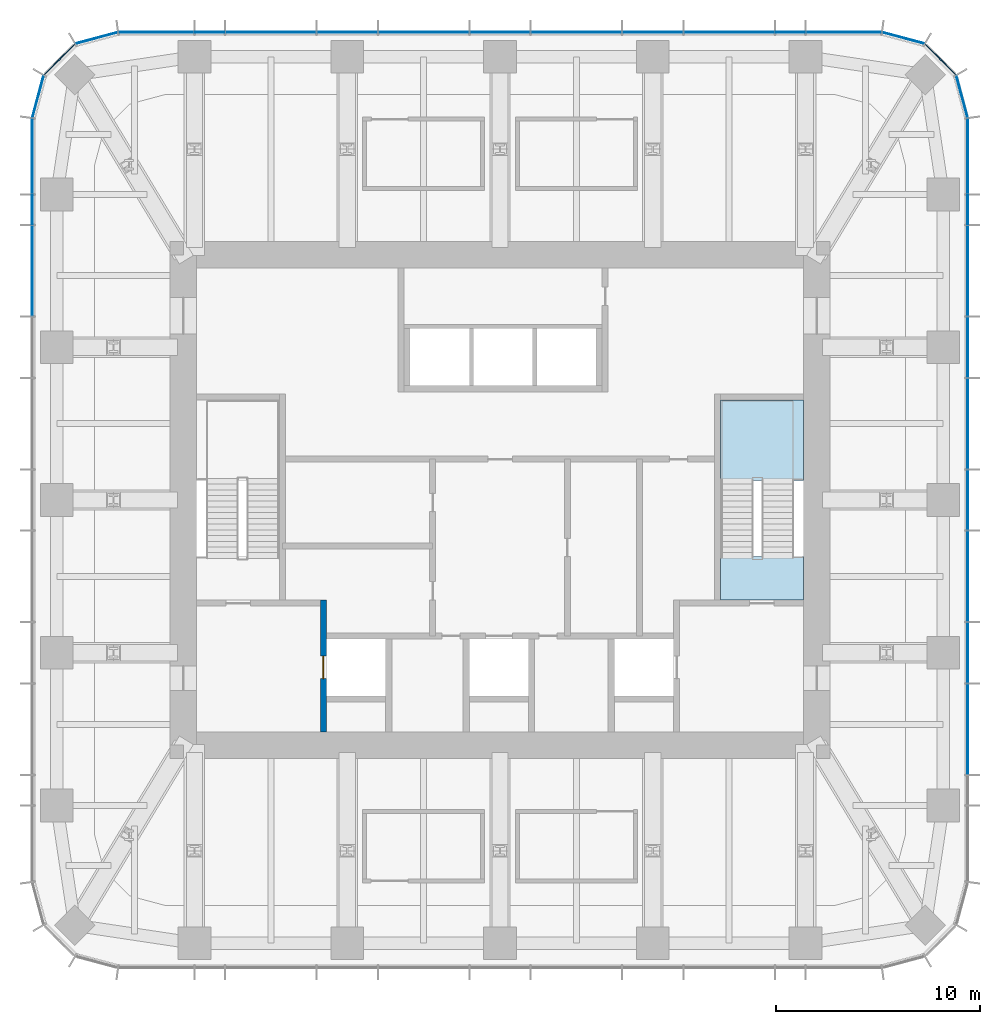
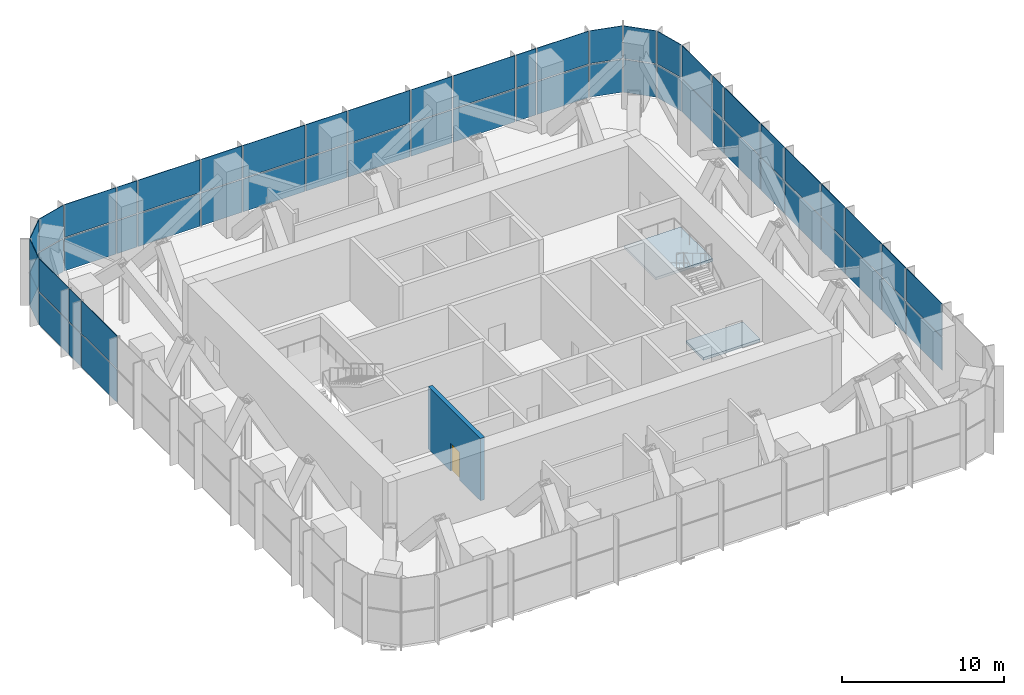
# One storey, part 6 of 9: 58 plates, 2 slabs, 1 door, 1 wall, 1 opening, 6 elements without a shape of their own.
"""IFC4 building model written with IfcOpenShell, lengths in metres."""

import ifcopenshell
import ifcopenshell.guid

model = None  # the IFC model being written
_history = None  # IfcOwnerHistory: only IFC2X3 demands one
_inside = {}  # id of a spatial element -> (the spatial element, [elements in it])
_under = {}  # id of a project, library or spatial element -> (it, [spatial elements below it])
_declared = {}  # id of a project -> (the project, [libraries it declares])
_typed = {}  # id of a type object -> (the type object, [elements of that type])
_made_of = {}  # id of a material, layer set ... -> (it, [elements and type objects made of it])


def new_model(schema):
    """Start an empty IFC model of exactly this schema.

    Asked for "IFC4X3", IfcOpenShell would pick the latest addendum, in which some entities
    have other attributes; the version numbers below select the first issue.
    IFC2X3 requires an IfcOwnerHistory on every rooted entity: one is made here for all.
    """
    global model, _history
    if schema == "IFC4X3":
        model = ifcopenshell.file(schema_version=(4, 3, 0, 0))
    else:
        model = ifcopenshell.file(schema=schema)
    _inside.clear()
    _under.clear()
    _declared.clear()
    _typed.clear()
    _made_of.clear()
    _history = None
    if model.schema == "IFC2X3":
        org = make("IfcOrganization", Name="unknown")
        user = make(
            "IfcPersonAndOrganization",
            ThePerson=make("IfcPerson", FamilyName="unknown"),
            TheOrganization=org,
        )
        app = make(
            "IfcApplication",
            ApplicationDeveloper=org,
            Version="unknown",
            ApplicationFullName="unknown",
            ApplicationIdentifier="unknown",
        )
        _history = make(
            "IfcOwnerHistory",
            OwningUser=user,
            OwningApplication=app,
            ChangeAction="ADDED",
            CreationDate=0,
        )
    return model


def make(cls, **values):
    """One entity of the class cls with the attributes given. An attribute that is None is left unset."""
    return model.create_entity(
        cls, **{name: value for name, value in values.items() if value is not None}
    )


def rooted(cls, **values):
    """An entity with a GlobalId (a new one), such as an element, a storey or a relation."""
    return make(cls, GlobalId=ifcopenshell.guid.new(), OwnerHistory=_history, **values)


def si_unit(unit_type, name, prefix=None):
    """IfcSIUnit, for example si_unit("LENGTHUNIT", "METRE", prefix="MILLI")."""
    return make("IfcSIUnit", UnitType=unit_type, Prefix=prefix, Name=name)


def assignment(units):
    """IfcUnitAssignment: the units of a project."""
    return None if units is None else make("IfcUnitAssignment", Units=units)


def point(xyz):
    """IfcCartesianPoint."""
    return None if xyz is None else make("IfcCartesianPoint", Coordinates=xyz)


def direction(xyz):
    """IfcDirection."""
    return None if xyz is None else make("IfcDirection", DirectionRatios=xyz)


def frame(location, z_axis=None, x_axis=None):
    """IfcAxis2Placement3D, a coordinate frame: its origin and axes. An axis left out is left unset."""
    return make(
        "IfcAxis2Placement3D",
        Location=point(location),
        Axis=direction(z_axis),
        RefDirection=direction(x_axis),
    )


def frame_2d(location, x_axis=None):
    """IfcAxis2Placement2D, a coordinate frame in the plane: its origin and x axis."""
    return make(
        "IfcAxis2Placement2D", Location=point(location), RefDirection=direction(x_axis)
    )


def origin():
    """The frame at (0, 0, 0) with its axes left unset."""
    return frame((0.0, 0.0, 0.0))


def origin_2d():
    """The frame at (0, 0) in the plane with its x axis left unset."""
    return frame_2d((0.0, 0.0))


def place(relative_to, where):
    """IfcLocalPlacement: puts the frame where relative to a parent placement (None: the world)."""
    return make(
        "IfcLocalPlacement", PlacementRelTo=relative_to, RelativePlacement=where
    )


def context(
    kind, dimensions, precision=None, world=None, true_north=None, identifier=None
):
    """IfcGeometricRepresentationContext, for example the 3D "Model" context."""
    return make(
        "IfcGeometricRepresentationContext",
        ContextIdentifier=identifier,
        ContextType=kind,
        CoordinateSpaceDimension=dimensions,
        Precision=precision,
        WorldCoordinateSystem=world,
        TrueNorth=true_north,
    )


def subcontext(parent, identifier, kind, view, scale=None):
    """IfcGeometricRepresentationSubContext, for example "Body" below "Model"."""
    return make(
        "IfcGeometricRepresentationSubContext",
        ContextIdentifier=identifier,
        ContextType=kind,
        ParentContext=parent,
        TargetScale=scale,
        TargetView=view,
    )


def project(units=None, contexts=None):
    """IfcProject with its units and contexts."""
    return rooted(
        "IfcProject",
        Name="project",
        RepresentationContexts=contexts,
        UnitsInContext=assignment(units),
    )


def spatial(cls, under=None, at=None, **own):
    """A site, building, storey or space (cls), placed at a placement, below another one or the project."""
    s = rooted(cls, ObjectPlacement=at, **own)
    if under is not None:
        _under.setdefault(under.id(), (under, []))[1].append(s)
    return s


def polyline(points):
    """IfcPolyline through the points."""
    return make("IfcPolyline", Points=[point(p) for p in points])


def profile(cls, at=None, kind="AREA", **sizes):
    """A parametric profile (cls). Its sizes go by their IFC names, for example OverallWidth=200.0."""
    return make(cls, ProfileType=kind, Position=at, **sizes)


def rectangle(**sizes):
    """IfcRectangleProfileDef."""
    return profile("IfcRectangleProfileDef", **sizes)


def outline(outer, holes=None, kind="AREA"):
    """IfcArbitraryClosedProfileDef: a profile drawn as a closed curve; with holes, ...WithVoids."""
    if holes is None:
        return make("IfcArbitraryClosedProfileDef", ProfileType=kind, OuterCurve=outer)
    return make(
        "IfcArbitraryProfileDefWithVoids",
        ProfileType=kind,
        OuterCurve=outer,
        InnerCurves=holes,
    )


def extrude(swept, where, along, depth):
    """IfcExtrudedAreaSolid: the profile swept, set in the frame where, extruded along a direction by depth."""
    return make(
        "IfcExtrudedAreaSolid",
        SweptArea=swept,
        Position=where,
        ExtrudedDirection=direction(along),
        Depth=depth,
    )


def shape(context_of_items, identifier, shape_type, items):
    """IfcShapeRepresentation: the items that make up one representation, for example the "Body"."""
    return make(
        "IfcShapeRepresentation",
        ContextOfItems=context_of_items,
        RepresentationIdentifier=identifier,
        RepresentationType=shape_type,
        Items=items,
    )


def material(Name=None, Category=None):
    """IfcMaterial."""
    return make("IfcMaterial", Name=Name, Category=Category)


def layer(
    of_material, thickness, ventilated=None, Name=None, Category=None, Priority=None
):
    """IfcMaterialLayer: one layer of a wall or slab, of a material (None: an air gap)."""
    return make(
        "IfcMaterialLayer",
        Material=of_material,
        LayerThickness=thickness,
        IsVentilated=ventilated,
        Name=Name,
        Category=Category,
        Priority=Priority,
    )


def layer_set(layers, Name=None):
    """IfcMaterialLayerSet."""
    return make("IfcMaterialLayerSet", MaterialLayers=layers, LayerSetName=Name)


def made_of(thing, what):
    """Note that an element or type object is made of a material, layer set ...; save() writes the relation."""
    if what is not None:
        _made_of.setdefault(what.id(), (what, []))[1].append(thing)
    return thing


def type_object(cls, material=None, **own):
    """A type object (cls), such as IfcWallType, which elements share."""
    return made_of(rooted(cls, **own), material)


def element(
    cls,
    number,
    at=None,
    inside=None,
    cuts=None,
    type_object=None,
    material=None,
    context=None,
    identifier="Body",
    shape_type=None,
    held_by="IfcProductDefinitionShape",
    body=None,
    shapes=None,
    **own,
):
    """One element of the class cls, such as IfcWall. Its Tag is "e" and its number.

    at: its placement. inside: the storey or other place that contains it. cuts: it is an
    opening in that element (IfcRelVoidsElement). A single representation is given by context,
    identifier, shape_type and body (its items); several are given by shapes. held_by: the class
    of the entity that holds the representations. save() writes the other relations.
    """
    e = rooted(cls, Tag="e%d" % number, ObjectPlacement=at, **own)
    if body is not None:
        shapes = [shape(context, identifier, shape_type, body)]
    if shapes is not None:
        e.Representation = make(held_by, Representations=shapes)
    if inside is not None:
        _inside.setdefault(inside.id(), (inside, []))[1].append(e)
    if cuts is not None:
        rooted(
            "IfcRelVoidsElement", RelatingBuildingElement=cuts, RelatedOpeningElement=e
        )
    if type_object is not None:
        _typed.setdefault(type_object.id(), (type_object, []))[1].append(e)
    return made_of(e, material)


def fill(opening, filler):
    """IfcRelFillsElement: the door or window that sits in an opening."""
    return rooted(
        "IfcRelFillsElement",
        RelatingOpeningElement=opening,
        RelatedBuildingElement=filler,
    )


def aggregate(whole, parts):
    """IfcRelAggregates: a whole, such as a stair, and the parts it consists of."""
    return rooted("IfcRelAggregates", RelatingObject=whole, RelatedObjects=parts)


def save(model, path):
    """Write the relations noted so far, then the file.

    IfcRelAggregates (storeys below a building ...), IfcRelContainedInSpatialStructure (elements
    in a storey), IfcRelDefinesByType, IfcRelAssociatesMaterial and IfcRelDeclares: one each for
    every whole, place, type object, material and project.
    """
    for whole, parts in _under.values():
        aggregate(whole, parts)
    for where, things in _inside.values():
        rooted(
            "IfcRelContainedInSpatialStructure",
            RelatedElements=things,
            RelatingStructure=where,
        )
    for kind, things in _typed.values():
        rooted("IfcRelDefinesByType", RelatedObjects=things, RelatingType=kind)
    for what, things in _made_of.values():
        rooted("IfcRelAssociatesMaterial", RelatedObjects=things, RelatingMaterial=what)
    for by, libraries in _declared.values():
        rooted("IfcRelDeclares", RelatingContext=by, RelatedDefinitions=libraries)
    model.write(path)


model = new_model("IFC4")

# Units and contexts
model_context = context("Model", 3, precision=1e-05, world=origin(), true_north=direction((0.0, 1.0)))
body_context = subcontext(model_context, "Body", "Model", "MODEL_VIEW")
ifc_project = project(units=[si_unit("LENGTHUNIT", "METRE"), si_unit("AREAUNIT", "SQUARE_METRE"), si_unit("VOLUMEUNIT", "CUBIC_METRE"), si_unit("PLANEANGLEUNIT", "RADIAN"), si_unit("MASSUNIT", "GRAM", prefix="KILO")], contexts=[model_context])

# Site, building, storey
site_placement = place(None, origin())
site = spatial("IfcSite", under=ifc_project, at=site_placement, CompositionType="ELEMENT")
building_placement = place(site_placement, origin())
building = spatial("IfcBuilding", under=site, at=building_placement, Name="Khuree Lantern Residences", CompositionType="ELEMENT")
storey_placement = place(building_placement, frame((0.0, 0.0, 353.25)))
storey = spatial("IfcBuildingStorey", under=building, at=storey_placement, Name="L89", CompositionType="ELEMENT", Elevation=353.25)

# Curtain wall, plates
ifc_material_1 = material(Name="Bronze anodised aluminium", Category="aluminium")
curtain_wall_type = type_object("IfcCurtainWallType", Name="CW-L LANTERN CROWN CURTAIN WALL", PredefinedType="USERDEFINED", material=ifc_material_1)
curtain_wall_1_placement = place(storey_placement, origin())
curtain_wall_1 = element("IfcCurtainWall", 1, at=curtain_wall_1_placement, inside=storey, type_object=curtain_wall_type, Name="L89 EAST FACE CURTAIN WALL", ObjectType="Lantern curtain wall", PredefinedType="USERDEFINED")
ifc_material_2 = material(Name="Bronze fritted laminated glass over an insulated spandrel back pan", Category="glass")
ifc_layer_1 = layer(ifc_material_2, 0.0400390625)
ifc_layer_set_1 = layer_set([ifc_layer_1], Name="LANTERN SHADOW BOX PANEL P8")
plate_type = type_object("IfcPlateType", Name="LANTERN SHADOW BOX PANEL P8", PredefinedType="CURTAIN_PANEL", material=ifc_layer_set_1)
plate_1_placement = place(storey_placement, frame((22.89990234375, -11.219970703125, 0.0), z_axis=(0.0, 0.0, 1.0), x_axis=(0.0, 1.0, 0.0)))
plate_1 = element("IfcPlate", 2, at=plate_1_placement, type_object=plate_type, Name="L89 EAST FACE PANEL 6.1", PredefinedType="CURTAIN_PANEL", context=body_context, shape_type="SweptSolid", body=[
    extrude(rectangle(XDim=4.4130859375, YDim=0.0400390625, at=origin_2d()), origin(), (0.0, 0.0, 1.0), 2.46240234375),
])
plate_2_placement = place(storey_placement, frame((22.89990234375, -11.219970703125, 2.53759765625), z_axis=(0.0, 0.0, 1.0), x_axis=(0.0, 1.0, 0.0)))
plate_2 = element("IfcPlate", 3, at=plate_2_placement, type_object=plate_type, Name="L89 EAST FACE PANEL 6.2", PredefinedType="CURTAIN_PANEL", context=body_context, shape_type="SweptSolid", body=[
    extrude(rectangle(XDim=4.4130859375, YDim=0.0400390625, at=origin_2d()), origin(), (0.0, 0.0, 1.0), 2.46240234375),
])
plate_3_placement = place(storey_placement, frame((22.89990234375, -7.47998046875, 0.0), z_axis=(0.0, 0.0, 1.0), x_axis=(0.0, 1.0, 0.0)))
plate_3 = element("IfcPlate", 4, at=plate_3_placement, type_object=plate_type, Name="L89 EAST FACE PANEL 7.1", PredefinedType="CURTAIN_PANEL", context=body_context, shape_type="SweptSolid", body=[
    extrude(rectangle(XDim=2.9169921875, YDim=0.0400390625, at=origin_2d()), origin(), (0.0, 0.0, 1.0), 2.46240234375),
])
plate_4_placement = place(storey_placement, frame((22.89990234375, -7.47998046875, 2.53759765625), z_axis=(0.0, 0.0, 1.0), x_axis=(0.0, 1.0, 0.0)))
plate_4 = element("IfcPlate", 5, at=plate_4_placement, type_object=plate_type, Name="L89 EAST FACE PANEL 7.2", PredefinedType="CURTAIN_PANEL", context=body_context, shape_type="SweptSolid", body=[
    extrude(rectangle(XDim=2.9169921875, YDim=0.0400390625, at=origin_2d()), origin(), (0.0, 0.0, 1.0), 2.46240234375),
])
plate_5_placement = place(storey_placement, frame((22.89990234375, -3.739990234375, 0.0), z_axis=(0.0, 0.0, 1.0), x_axis=(0.0, 1.0, 0.0)))
plate_5 = element("IfcPlate", 6, at=plate_5_placement, type_object=plate_type, Name="L89 EAST FACE PANEL 8.1", PredefinedType="CURTAIN_PANEL", context=body_context, shape_type="SweptSolid", body=[
    extrude(rectangle(XDim=4.4130859375, YDim=0.0400390625, at=origin_2d()), origin(), (0.0, 0.0, 1.0), 2.46240234375),
])
plate_6_placement = place(storey_placement, frame((22.89990234375, -3.739990234375, 2.53759765625), z_axis=(0.0, 0.0, 1.0), x_axis=(0.0, 1.0, 0.0)))
plate_6 = element("IfcPlate", 7, at=plate_6_placement, type_object=plate_type, Name="L89 EAST FACE PANEL 8.2", PredefinedType="CURTAIN_PANEL", context=body_context, shape_type="SweptSolid", body=[
    extrude(rectangle(XDim=4.4130859375, YDim=0.0400390625, at=origin_2d()), origin(), (0.0, 0.0, 1.0), 2.46240234375),
])
plate_7_placement = place(storey_placement, frame((22.89990234375, 0.0, 0.0), z_axis=(0.0, 0.0, 1.0), x_axis=(0.0, 1.0, 0.0)))
plate_7 = element("IfcPlate", 8, at=plate_7_placement, type_object=plate_type, Name="L89 EAST FACE PANEL 9.1", PredefinedType="CURTAIN_PANEL", context=body_context, shape_type="SweptSolid", body=[
    extrude(rectangle(XDim=2.9169921875, YDim=0.0400390625, at=origin_2d()), origin(), (0.0, 0.0, 1.0), 2.46240234375),
])
plate_8_placement = place(storey_placement, frame((22.89990234375, 0.0, 2.53759765625), z_axis=(0.0, 0.0, 1.0), x_axis=(0.0, 1.0, 0.0)))
plate_8 = element("IfcPlate", 9, at=plate_8_placement, type_object=plate_type, Name="L89 EAST FACE PANEL 9.2", PredefinedType="CURTAIN_PANEL", context=body_context, shape_type="SweptSolid", body=[
    extrude(rectangle(XDim=2.9169921875, YDim=0.0400390625, at=origin_2d()), origin(), (0.0, 0.0, 1.0), 2.46240234375),
])
plate_9_placement = place(storey_placement, frame((22.89990234375, 3.739990234375, 0.0), z_axis=(0.0, 0.0, 1.0), x_axis=(0.0, 1.0, 0.0)))
plate_9 = element("IfcPlate", 10, at=plate_9_placement, type_object=plate_type, Name="L89 EAST FACE PANEL 10.1", PredefinedType="CURTAIN_PANEL", context=body_context, shape_type="SweptSolid", body=[
    extrude(rectangle(XDim=4.4130859375, YDim=0.0400390625, at=origin_2d()), origin(), (0.0, 0.0, 1.0), 2.46240234375),
])
plate_10_placement = place(storey_placement, frame((22.89990234375, 3.739990234375, 2.53759765625), z_axis=(0.0, 0.0, 1.0), x_axis=(0.0, 1.0, 0.0)))
plate_10 = element("IfcPlate", 11, at=plate_10_placement, type_object=plate_type, Name="L89 EAST FACE PANEL 10.2", PredefinedType="CURTAIN_PANEL", context=body_context, shape_type="SweptSolid", body=[
    extrude(rectangle(XDim=4.4130859375, YDim=0.0400390625, at=origin_2d()), origin(), (0.0, 0.0, 1.0), 2.46240234375),
])
plate_11_placement = place(storey_placement, frame((22.89990234375, 7.47998046875, 0.0), z_axis=(0.0, 0.0, 1.0), x_axis=(0.0, 1.0, 0.0)))
plate_11 = element("IfcPlate", 12, at=plate_11_placement, type_object=plate_type, Name="L89 EAST FACE PANEL 11.1", PredefinedType="CURTAIN_PANEL", context=body_context, shape_type="SweptSolid", body=[
    extrude(rectangle(XDim=2.9169921875, YDim=0.0400390625, at=origin_2d()), origin(), (0.0, 0.0, 1.0), 2.46240234375),
])
plate_12_placement = place(storey_placement, frame((22.89990234375, 7.47998046875, 2.53759765625), z_axis=(0.0, 0.0, 1.0), x_axis=(0.0, 1.0, 0.0)))
plate_12 = element("IfcPlate", 13, at=plate_12_placement, type_object=plate_type, Name="L89 EAST FACE PANEL 11.2", PredefinedType="CURTAIN_PANEL", context=body_context, shape_type="SweptSolid", body=[
    extrude(rectangle(XDim=2.9169921875, YDim=0.0400390625, at=origin_2d()), origin(), (0.0, 0.0, 1.0), 2.46240234375),
])
plate_13_placement = place(storey_placement, frame((22.89990234375, 11.219970703125, 0.0), z_axis=(0.0, 0.0, 1.0), x_axis=(0.0, 1.0, 0.0)))
plate_13 = element("IfcPlate", 14, at=plate_13_placement, type_object=plate_type, Name="L89 EAST FACE PANEL 12.1", PredefinedType="CURTAIN_PANEL", context=body_context, shape_type="SweptSolid", body=[
    extrude(rectangle(XDim=4.4130859375, YDim=0.0400390625, at=origin_2d()), origin(), (0.0, 0.0, 1.0), 2.46240234375),
])
plate_14_placement = place(storey_placement, frame((22.89990234375, 11.219970703125, 2.53759765625), z_axis=(0.0, 0.0, 1.0), x_axis=(0.0, 1.0, 0.0)))
plate_14 = element("IfcPlate", 15, at=plate_14_placement, type_object=plate_type, Name="L89 EAST FACE PANEL 12.2", PredefinedType="CURTAIN_PANEL", context=body_context, shape_type="SweptSolid", body=[
    extrude(rectangle(XDim=4.4130859375, YDim=0.0400390625, at=origin_2d()), origin(), (0.0, 0.0, 1.0), 2.46240234375),
])
plate_15_placement = place(storey_placement, frame((22.89990234375, 14.2119140625, 0.0), z_axis=(0.0, 0.0, 1.0), x_axis=(0.0, 1.0, 0.0)))
plate_15 = element("IfcPlate", 16, at=plate_15_placement, type_object=plate_type, Name="L89 EAST FACE PANEL 13.1", PredefinedType="CURTAIN_PANEL", context=body_context, shape_type="SweptSolid", body=[
    extrude(rectangle(XDim=1.4208984375, YDim=0.0400390625, at=origin_2d()), origin(), (0.0, 0.0, 1.0), 2.46240234375),
])
plate_16_placement = place(storey_placement, frame((22.89990234375, 14.2119140625, 2.53759765625), z_axis=(0.0, 0.0, 1.0), x_axis=(0.0, 1.0, 0.0)))
plate_16 = element("IfcPlate", 17, at=plate_16_placement, type_object=plate_type, Name="L89 EAST FACE PANEL 13.2", PredefinedType="CURTAIN_PANEL", context=body_context, shape_type="SweptSolid", body=[
    extrude(rectangle(XDim=1.4208984375, YDim=0.0400390625, at=origin_2d()), origin(), (0.0, 0.0, 1.0), 2.46240234375),
])
plate_17_placement = place(storey_placement, frame((22.89990234375, 16.82861328125, 0.0), z_axis=(0.0, 0.0, 1.0), x_axis=(0.0, 1.0, 0.0)))
plate_17 = element("IfcPlate", 18, at=plate_17_placement, type_object=plate_type, Name="L89 EAST FACE PANEL 14.1", PredefinedType="CURTAIN_PANEL", context=body_context, shape_type="SweptSolid", body=[
    extrude(rectangle(XDim=3.662109375, YDim=0.0400390625, at=origin_2d()), origin(), (0.0, 0.0, 1.0), 2.46240234375),
])
plate_18_placement = place(storey_placement, frame((22.89990234375, 16.82861328125, 2.53759765625), z_axis=(0.0, 0.0, 1.0), x_axis=(0.0, 1.0, 0.0)))
plate_18 = element("IfcPlate", 19, at=plate_18_placement, type_object=plate_type, Name="L89 EAST FACE PANEL 14.2", PredefinedType="CURTAIN_PANEL", context=body_context, shape_type="SweptSolid", body=[
    extrude(rectangle(XDim=3.662109375, YDim=0.0400390625, at=origin_2d()), origin(), (0.0, 0.0, 1.0), 2.46240234375),
])
aggregate(curtain_wall_1, [plate_1, plate_2, plate_3, plate_4, plate_5, plate_6, plate_7, plate_8, plate_9, plate_10, plate_11, plate_12, plate_13, plate_14, plate_15, plate_16, plate_17, plate_18])

curtain_wall_2_placement = place(storey_placement, origin())
curtain_wall_2 = element("IfcCurtainWall", 20, at=curtain_wall_2_placement, inside=storey, type_object=curtain_wall_type, Name="L89 NORTH-EAST CORNER CURTAIN WALL", ObjectType="Lantern curtain wall", PredefinedType="USERDEFINED")
plate_19_placement = place(storey_placement, frame((22.619140625, 19.748291015625, 0.0), z_axis=(0.0, 0.0, 1.0), x_axis=(-0.2588189146, 0.965925861257, 0.0)))
plate_19 = element("IfcPlate", 21, at=plate_19_placement, type_object=plate_type, Name="L89 NORTH-EAST CORNER PANEL 15.1", PredefinedType="CURTAIN_PANEL", context=body_context, shape_type="SweptSolid", body=[
    extrude(rectangle(XDim=2.08935546875, YDim=0.0400390625, at=origin_2d()), origin(), (0.0, 0.0, 1.0), 2.46240234375),
])
plate_20_placement = place(storey_placement, frame((22.619140625, 19.748291015625, 2.53759765625), z_axis=(0.0, 0.0, 1.0), x_axis=(-0.2588189146, 0.965925861257, 0.0)))
plate_20 = element("IfcPlate", 22, at=plate_20_placement, type_object=plate_type, Name="L89 NORTH-EAST CORNER PANEL 15.2", PredefinedType="CURTAIN_PANEL", context=body_context, shape_type="SweptSolid", body=[
    extrude(rectangle(XDim=2.08935546875, YDim=0.0400390625, at=origin_2d()), origin(), (0.0, 0.0, 1.0), 2.46240234375),
])
plate_21_placement = place(storey_placement, frame((21.568603515625, 21.568603515625, 0.0), z_axis=(0.0, 0.0, 1.0), x_axis=(-0.707106781187, 0.707106781187, 0.0)))
plate_21 = element("IfcPlate", 23, at=plate_21_placement, type_object=plate_type, Name="L89 NORTH-EAST CORNER PANEL 16.1", PredefinedType="CURTAIN_PANEL", context=body_context, shape_type="SweptSolid", body=[
    extrude(rectangle(XDim=2.085693359375, YDim=0.0400390625, at=origin_2d()), origin(), (0.0, 0.0, 1.0), 2.46240234375),
])
plate_22_placement = place(storey_placement, frame((21.568603515625, 21.568603515625, 2.53759765625), z_axis=(0.0, 0.0, 1.0), x_axis=(-0.707106781187, 0.707106781187, 0.0)))
plate_22 = element("IfcPlate", 24, at=plate_22_placement, type_object=plate_type, Name="L89 NORTH-EAST CORNER PANEL 16.2", PredefinedType="CURTAIN_PANEL", context=body_context, shape_type="SweptSolid", body=[
    extrude(rectangle(XDim=2.085693359375, YDim=0.0400390625, at=origin_2d()), origin(), (0.0, 0.0, 1.0), 2.46240234375),
])
plate_23_placement = place(storey_placement, frame((19.748291015625, 22.619140625, 0.0), z_axis=(0.0, 0.0, 1.0), x_axis=(-0.965925861257, 0.2588189146, 0.0)))
plate_23 = element("IfcPlate", 25, at=plate_23_placement, type_object=plate_type, Name="L89 NORTH-EAST CORNER PANEL 17.1", PredefinedType="CURTAIN_PANEL", context=body_context, shape_type="SweptSolid", body=[
    extrude(rectangle(XDim=2.08935546875, YDim=0.0400390625, at=origin_2d()), origin(), (0.0, 0.0, 1.0), 2.46240234375),
])
plate_24_placement = place(storey_placement, frame((19.748291015625, 22.619140625, 2.53759765625), z_axis=(0.0, 0.0, 1.0), x_axis=(-0.965925861257, 0.2588189146, 0.0)))
plate_24 = element("IfcPlate", 26, at=plate_24_placement, type_object=plate_type, Name="L89 NORTH-EAST CORNER PANEL 17.2", PredefinedType="CURTAIN_PANEL", context=body_context, shape_type="SweptSolid", body=[
    extrude(rectangle(XDim=2.08935546875, YDim=0.0400390625, at=origin_2d()), origin(), (0.0, 0.0, 1.0), 2.46240234375),
])
aggregate(curtain_wall_2, [plate_19, plate_20, plate_21, plate_22, plate_23, plate_24])

curtain_wall_3_placement = place(storey_placement, origin())
curtain_wall_3 = element("IfcCurtainWall", 27, at=curtain_wall_3_placement, inside=storey, type_object=curtain_wall_type, Name="L89 NORTH FACE CURTAIN WALL", ObjectType="Lantern curtain wall", PredefinedType="USERDEFINED")
plate_25_placement = place(storey_placement, frame((16.82861328125, 22.89990234375, 0.0), z_axis=(0.0, 0.0, 1.0), x_axis=(-1.0, 0.0, 0.0)))
plate_25 = element("IfcPlate", 28, at=plate_25_placement, type_object=plate_type, Name="L89 NORTH FACE PANEL 18.1", PredefinedType="CURTAIN_PANEL", context=body_context, shape_type="SweptSolid", body=[
    extrude(rectangle(XDim=3.662109375, YDim=0.0400390625, at=origin_2d()), origin(), (0.0, 0.0, 1.0), 2.46240234375),
])
plate_26_placement = place(storey_placement, frame((16.82861328125, 22.89990234375, 2.53759765625), z_axis=(0.0, 0.0, 1.0), x_axis=(-1.0, 0.0, 0.0)))
plate_26 = element("IfcPlate", 29, at=plate_26_placement, type_object=plate_type, Name="L89 NORTH FACE PANEL 18.2", PredefinedType="CURTAIN_PANEL", context=body_context, shape_type="SweptSolid", body=[
    extrude(rectangle(XDim=3.662109375, YDim=0.0400390625, at=origin_2d()), origin(), (0.0, 0.0, 1.0), 2.46240234375),
])
plate_27_placement = place(storey_placement, frame((14.2119140625, 22.89990234375, 0.0), z_axis=(0.0, 0.0, 1.0), x_axis=(-1.0, 0.0, 0.0)))
plate_27 = element("IfcPlate", 30, at=plate_27_placement, type_object=plate_type, Name="L89 NORTH FACE PANEL 19.1", PredefinedType="CURTAIN_PANEL", context=body_context, shape_type="SweptSolid", body=[
    extrude(rectangle(XDim=1.4208984375, YDim=0.0400390625, at=origin_2d()), origin(), (0.0, 0.0, 1.0), 2.46240234375),
])
plate_28_placement = place(storey_placement, frame((14.2119140625, 22.89990234375, 2.53759765625), z_axis=(0.0, 0.0, 1.0), x_axis=(-1.0, 0.0, 0.0)))
plate_28 = element("IfcPlate", 31, at=plate_28_placement, type_object=plate_type, Name="L89 NORTH FACE PANEL 19.2", PredefinedType="CURTAIN_PANEL", context=body_context, shape_type="SweptSolid", body=[
    extrude(rectangle(XDim=1.4208984375, YDim=0.0400390625, at=origin_2d()), origin(), (0.0, 0.0, 1.0), 2.46240234375),
])
plate_29_placement = place(storey_placement, frame((11.219970703125, 22.89990234375, 0.0), z_axis=(0.0, 0.0, 1.0), x_axis=(-1.0, 0.0, 0.0)))
plate_29 = element("IfcPlate", 32, at=plate_29_placement, type_object=plate_type, Name="L89 NORTH FACE PANEL 20.1", PredefinedType="CURTAIN_PANEL", context=body_context, shape_type="SweptSolid", body=[
    extrude(rectangle(XDim=4.4130859375, YDim=0.0400390625, at=origin_2d()), origin(), (0.0, 0.0, 1.0), 2.46240234375),
])
plate_30_placement = place(storey_placement, frame((11.219970703125, 22.89990234375, 2.53759765625), z_axis=(0.0, 0.0, 1.0), x_axis=(-1.0, 0.0, 0.0)))
plate_30 = element("IfcPlate", 33, at=plate_30_placement, type_object=plate_type, Name="L89 NORTH FACE PANEL 20.2", PredefinedType="CURTAIN_PANEL", context=body_context, shape_type="SweptSolid", body=[
    extrude(rectangle(XDim=4.4130859375, YDim=0.0400390625, at=origin_2d()), origin(), (0.0, 0.0, 1.0), 2.46240234375),
])
plate_31_placement = place(storey_placement, frame((7.47998046875, 22.89990234375, 0.0), z_axis=(0.0, 0.0, 1.0), x_axis=(-1.0, 0.0, 0.0)))
plate_31 = element("IfcPlate", 34, at=plate_31_placement, type_object=plate_type, Name="L89 NORTH FACE PANEL 21.1", PredefinedType="CURTAIN_PANEL", context=body_context, shape_type="SweptSolid", body=[
    extrude(rectangle(XDim=2.9169921875, YDim=0.0400390625, at=origin_2d()), origin(), (0.0, 0.0, 1.0), 2.46240234375),
])
plate_32_placement = place(storey_placement, frame((7.47998046875, 22.89990234375, 2.53759765625), z_axis=(0.0, 0.0, 1.0), x_axis=(-1.0, 0.0, 0.0)))
plate_32 = element("IfcPlate", 35, at=plate_32_placement, type_object=plate_type, Name="L89 NORTH FACE PANEL 21.2", PredefinedType="CURTAIN_PANEL", context=body_context, shape_type="SweptSolid", body=[
    extrude(rectangle(XDim=2.9169921875, YDim=0.0400390625, at=origin_2d()), origin(), (0.0, 0.0, 1.0), 2.46240234375),
])
plate_33_placement = place(storey_placement, frame((3.739990234375, 22.89990234375, 0.0), z_axis=(0.0, 0.0, 1.0), x_axis=(-1.0, 0.0, 0.0)))
plate_33 = element("IfcPlate", 36, at=plate_33_placement, type_object=plate_type, Name="L89 NORTH FACE PANEL 22.1", PredefinedType="CURTAIN_PANEL", context=body_context, shape_type="SweptSolid", body=[
    extrude(rectangle(XDim=4.4130859375, YDim=0.0400390625, at=origin_2d()), origin(), (0.0, 0.0, 1.0), 2.46240234375),
])
plate_34_placement = place(storey_placement, frame((3.739990234375, 22.89990234375, 2.53759765625), z_axis=(0.0, 0.0, 1.0), x_axis=(-1.0, 0.0, 0.0)))
plate_34 = element("IfcPlate", 37, at=plate_34_placement, type_object=plate_type, Name="L89 NORTH FACE PANEL 22.2", PredefinedType="CURTAIN_PANEL", context=body_context, shape_type="SweptSolid", body=[
    extrude(rectangle(XDim=4.4130859375, YDim=0.0400390625, at=origin_2d()), origin(), (0.0, 0.0, 1.0), 2.46240234375),
])
plate_35_placement = place(storey_placement, frame((0.0, 22.89990234375, 0.0), z_axis=(0.0, 0.0, 1.0), x_axis=(-1.0, 0.0, 0.0)))
plate_35 = element("IfcPlate", 38, at=plate_35_placement, type_object=plate_type, Name="L89 NORTH FACE PANEL 23.1", PredefinedType="CURTAIN_PANEL", context=body_context, shape_type="SweptSolid", body=[
    extrude(rectangle(XDim=2.9169921875, YDim=0.0400390625, at=origin_2d()), origin(), (0.0, 0.0, 1.0), 2.46240234375),
])
plate_36_placement = place(storey_placement, frame((0.0, 22.89990234375, 2.53759765625), z_axis=(0.0, 0.0, 1.0), x_axis=(-1.0, 0.0, 0.0)))
plate_36 = element("IfcPlate", 39, at=plate_36_placement, type_object=plate_type, Name="L89 NORTH FACE PANEL 23.2", PredefinedType="CURTAIN_PANEL", context=body_context, shape_type="SweptSolid", body=[
    extrude(rectangle(XDim=2.9169921875, YDim=0.0400390625, at=origin_2d()), origin(), (0.0, 0.0, 1.0), 2.46240234375),
])
plate_37_placement = place(storey_placement, frame((-3.739990234375, 22.89990234375, 0.0), z_axis=(0.0, 0.0, 1.0), x_axis=(-1.0, 0.0, 0.0)))
plate_37 = element("IfcPlate", 40, at=plate_37_placement, type_object=plate_type, Name="L89 NORTH FACE PANEL 24.1", PredefinedType="CURTAIN_PANEL", context=body_context, shape_type="SweptSolid", body=[
    extrude(rectangle(XDim=4.4130859375, YDim=0.0400390625, at=origin_2d()), origin(), (0.0, 0.0, 1.0), 2.46240234375),
])
plate_38_placement = place(storey_placement, frame((-3.739990234375, 22.89990234375, 2.53759765625), z_axis=(0.0, 0.0, 1.0), x_axis=(-1.0, 0.0, 0.0)))
plate_38 = element("IfcPlate", 41, at=plate_38_placement, type_object=plate_type, Name="L89 NORTH FACE PANEL 24.2", PredefinedType="CURTAIN_PANEL", context=body_context, shape_type="SweptSolid", body=[
    extrude(rectangle(XDim=4.4130859375, YDim=0.0400390625, at=origin_2d()), origin(), (0.0, 0.0, 1.0), 2.46240234375),
])
plate_39_placement = place(storey_placement, frame((-7.47998046875, 22.89990234375, 0.0), z_axis=(0.0, 0.0, 1.0), x_axis=(-1.0, 0.0, 0.0)))
plate_39 = element("IfcPlate", 42, at=plate_39_placement, type_object=plate_type, Name="L89 NORTH FACE PANEL 25.1", PredefinedType="CURTAIN_PANEL", context=body_context, shape_type="SweptSolid", body=[
    extrude(rectangle(XDim=2.9169921875, YDim=0.0400390625, at=origin_2d()), origin(), (0.0, 0.0, 1.0), 2.46240234375),
])
plate_40_placement = place(storey_placement, frame((-7.47998046875, 22.89990234375, 2.53759765625), z_axis=(0.0, 0.0, 1.0), x_axis=(-1.0, 0.0, 0.0)))
plate_40 = element("IfcPlate", 43, at=plate_40_placement, type_object=plate_type, Name="L89 NORTH FACE PANEL 25.2", PredefinedType="CURTAIN_PANEL", context=body_context, shape_type="SweptSolid", body=[
    extrude(rectangle(XDim=2.9169921875, YDim=0.0400390625, at=origin_2d()), origin(), (0.0, 0.0, 1.0), 2.46240234375),
])
plate_41_placement = place(storey_placement, frame((-11.219970703125, 22.89990234375, 0.0), z_axis=(0.0, 0.0, 1.0), x_axis=(-1.0, 0.0, 0.0)))
plate_41 = element("IfcPlate", 44, at=plate_41_placement, type_object=plate_type, Name="L89 NORTH FACE PANEL 26.1", PredefinedType="CURTAIN_PANEL", context=body_context, shape_type="SweptSolid", body=[
    extrude(rectangle(XDim=4.4130859375, YDim=0.0400390625, at=origin_2d()), origin(), (0.0, 0.0, 1.0), 2.46240234375),
])
plate_42_placement = place(storey_placement, frame((-11.219970703125, 22.89990234375, 2.53759765625), z_axis=(0.0, 0.0, 1.0), x_axis=(-1.0, 0.0, 0.0)))
plate_42 = element("IfcPlate", 45, at=plate_42_placement, type_object=plate_type, Name="L89 NORTH FACE PANEL 26.2", PredefinedType="CURTAIN_PANEL", context=body_context, shape_type="SweptSolid", body=[
    extrude(rectangle(XDim=4.4130859375, YDim=0.0400390625, at=origin_2d()), origin(), (0.0, 0.0, 1.0), 2.46240234375),
])
plate_43_placement = place(storey_placement, frame((-14.2119140625, 22.89990234375, 0.0), z_axis=(0.0, 0.0, 1.0), x_axis=(-1.0, 0.0, 0.0)))
plate_43 = element("IfcPlate", 46, at=plate_43_placement, type_object=plate_type, Name="L89 NORTH FACE PANEL 27.1", PredefinedType="CURTAIN_PANEL", context=body_context, shape_type="SweptSolid", body=[
    extrude(rectangle(XDim=1.4208984375, YDim=0.0400390625, at=origin_2d()), origin(), (0.0, 0.0, 1.0), 2.46240234375),
])
plate_44_placement = place(storey_placement, frame((-14.2119140625, 22.89990234375, 2.53759765625), z_axis=(0.0, 0.0, 1.0), x_axis=(-1.0, 0.0, 0.0)))
plate_44 = element("IfcPlate", 47, at=plate_44_placement, type_object=plate_type, Name="L89 NORTH FACE PANEL 27.2", PredefinedType="CURTAIN_PANEL", context=body_context, shape_type="SweptSolid", body=[
    extrude(rectangle(XDim=1.4208984375, YDim=0.0400390625, at=origin_2d()), origin(), (0.0, 0.0, 1.0), 2.46240234375),
])
plate_45_placement = place(storey_placement, frame((-16.82861328125, 22.89990234375, 0.0), z_axis=(0.0, 0.0, 1.0), x_axis=(-1.0, 0.0, 0.0)))
plate_45 = element("IfcPlate", 48, at=plate_45_placement, type_object=plate_type, Name="L89 NORTH FACE PANEL 28.1", PredefinedType="CURTAIN_PANEL", context=body_context, shape_type="SweptSolid", body=[
    extrude(rectangle(XDim=3.662109375, YDim=0.0400390625, at=origin_2d()), origin(), (0.0, 0.0, 1.0), 2.46240234375),
])
plate_46_placement = place(storey_placement, frame((-16.82861328125, 22.89990234375, 2.53759765625), z_axis=(0.0, 0.0, 1.0), x_axis=(-1.0, 0.0, 0.0)))
plate_46 = element("IfcPlate", 49, at=plate_46_placement, type_object=plate_type, Name="L89 NORTH FACE PANEL 28.2", PredefinedType="CURTAIN_PANEL", context=body_context, shape_type="SweptSolid", body=[
    extrude(rectangle(XDim=3.662109375, YDim=0.0400390625, at=origin_2d()), origin(), (0.0, 0.0, 1.0), 2.46240234375),
])
aggregate(curtain_wall_3, [plate_25, plate_26, plate_27, plate_28, plate_29, plate_30, plate_31, plate_32, plate_33, plate_34, plate_35, plate_36, plate_37, plate_38, plate_39, plate_40, plate_41, plate_42, plate_43, plate_44, plate_45, plate_46])

curtain_wall_4_placement = place(storey_placement, origin())
curtain_wall_4 = element("IfcCurtainWall", 50, at=curtain_wall_4_placement, inside=storey, type_object=curtain_wall_type, Name="L89 NORTH-WEST CORNER CURTAIN WALL", ObjectType="Lantern curtain wall", PredefinedType="USERDEFINED")
plate_47_placement = place(storey_placement, frame((-19.748291015625, 22.619140625, 0.0), z_axis=(0.0, 0.0, 1.0), x_axis=(-0.965925861257, -0.2588189146, 0.0)))
plate_47 = element("IfcPlate", 51, at=plate_47_placement, type_object=plate_type, Name="L89 NORTH-WEST CORNER PANEL 29.1", PredefinedType="CURTAIN_PANEL", context=body_context, shape_type="SweptSolid", body=[
    extrude(rectangle(XDim=2.08935546875, YDim=0.0400390625, at=origin_2d()), origin(), (0.0, 0.0, 1.0), 2.46240234375),
])
plate_48_placement = place(storey_placement, frame((-19.748291015625, 22.619140625, 2.53759765625), z_axis=(0.0, 0.0, 1.0), x_axis=(-0.965925861257, -0.2588189146, 0.0)))
plate_48 = element("IfcPlate", 52, at=plate_48_placement, type_object=plate_type, Name="L89 NORTH-WEST CORNER PANEL 29.2", PredefinedType="CURTAIN_PANEL", context=body_context, shape_type="SweptSolid", body=[
    extrude(rectangle(XDim=2.08935546875, YDim=0.0400390625, at=origin_2d()), origin(), (0.0, 0.0, 1.0), 2.46240234375),
])
plate_49_placement = place(storey_placement, frame((-21.568603515625, 21.568603515625, 0.0), z_axis=(0.0, 0.0, 1.0), x_axis=(-0.707106781187, -0.707106781187, 0.0)))
plate_49 = element("IfcPlate", 53, at=plate_49_placement, type_object=plate_type, Name="L89 NORTH-WEST CORNER PANEL 30.1", PredefinedType="CURTAIN_PANEL", context=body_context, shape_type="SweptSolid", body=[
    extrude(rectangle(XDim=2.085693359375, YDim=0.0400390625, at=origin_2d()), origin(), (0.0, 0.0, 1.0), 2.46240234375),
])
plate_50_placement = place(storey_placement, frame((-21.568603515625, 21.568603515625, 2.53759765625), z_axis=(0.0, 0.0, 1.0), x_axis=(-0.707106781187, -0.707106781187, 0.0)))
plate_50 = element("IfcPlate", 54, at=plate_50_placement, type_object=plate_type, Name="L89 NORTH-WEST CORNER PANEL 30.2", PredefinedType="CURTAIN_PANEL", context=body_context, shape_type="SweptSolid", body=[
    extrude(rectangle(XDim=2.085693359375, YDim=0.0400390625, at=origin_2d()), origin(), (0.0, 0.0, 1.0), 2.46240234375),
])
plate_51_placement = place(storey_placement, frame((-22.619140625, 19.748291015625, 0.0), z_axis=(0.0, 0.0, 1.0), x_axis=(-0.2588189146, -0.965925861257, 0.0)))
plate_51 = element("IfcPlate", 55, at=plate_51_placement, type_object=plate_type, Name="L89 NORTH-WEST CORNER PANEL 31.1", PredefinedType="CURTAIN_PANEL", context=body_context, shape_type="SweptSolid", body=[
    extrude(rectangle(XDim=2.08935546875, YDim=0.0400390625, at=origin_2d()), origin(), (0.0, 0.0, 1.0), 2.46240234375),
])
plate_52_placement = place(storey_placement, frame((-22.619140625, 19.748291015625, 2.53759765625), z_axis=(0.0, 0.0, 1.0), x_axis=(-0.2588189146, -0.965925861257, 0.0)))
plate_52 = element("IfcPlate", 56, at=plate_52_placement, type_object=plate_type, Name="L89 NORTH-WEST CORNER PANEL 31.2", PredefinedType="CURTAIN_PANEL", context=body_context, shape_type="SweptSolid", body=[
    extrude(rectangle(XDim=2.08935546875, YDim=0.0400390625, at=origin_2d()), origin(), (0.0, 0.0, 1.0), 2.46240234375),
])
aggregate(curtain_wall_4, [plate_47, plate_48, plate_49, plate_50, plate_51, plate_52])

curtain_wall_5_placement = place(storey_placement, origin())
curtain_wall_5 = element("IfcCurtainWall", 57, at=curtain_wall_5_placement, inside=storey, type_object=curtain_wall_type, Name="L89 WEST FACE CURTAIN WALL", ObjectType="Lantern curtain wall", PredefinedType="USERDEFINED")
plate_53_placement = place(storey_placement, frame((-22.89990234375, 16.82861328125, 0.0), z_axis=(0.0, 0.0, 1.0), x_axis=(0.0, -1.0, 0.0)))
plate_53 = element("IfcPlate", 58, at=plate_53_placement, type_object=plate_type, Name="L89 WEST FACE PANEL 32.1", PredefinedType="CURTAIN_PANEL", context=body_context, shape_type="SweptSolid", body=[
    extrude(rectangle(XDim=3.662109375, YDim=0.0400390625, at=origin_2d()), origin(), (0.0, 0.0, 1.0), 2.46240234375),
])
plate_54_placement = place(storey_placement, frame((-22.89990234375, 16.82861328125, 2.53759765625), z_axis=(0.0, 0.0, 1.0), x_axis=(0.0, -1.0, 0.0)))
plate_54 = element("IfcPlate", 59, at=plate_54_placement, type_object=plate_type, Name="L89 WEST FACE PANEL 32.2", PredefinedType="CURTAIN_PANEL", context=body_context, shape_type="SweptSolid", body=[
    extrude(rectangle(XDim=3.662109375, YDim=0.0400390625, at=origin_2d()), origin(), (0.0, 0.0, 1.0), 2.46240234375),
])
plate_55_placement = place(storey_placement, frame((-22.89990234375, 14.2119140625, 0.0), z_axis=(0.0, 0.0, 1.0), x_axis=(0.0, -1.0, 0.0)))
plate_55 = element("IfcPlate", 60, at=plate_55_placement, type_object=plate_type, Name="L89 WEST FACE PANEL 33.1", PredefinedType="CURTAIN_PANEL", context=body_context, shape_type="SweptSolid", body=[
    extrude(rectangle(XDim=1.4208984375, YDim=0.0400390625, at=origin_2d()), origin(), (0.0, 0.0, 1.0), 2.46240234375),
])
plate_56_placement = place(storey_placement, frame((-22.89990234375, 14.2119140625, 2.53759765625), z_axis=(0.0, 0.0, 1.0), x_axis=(0.0, -1.0, 0.0)))
plate_56 = element("IfcPlate", 61, at=plate_56_placement, type_object=plate_type, Name="L89 WEST FACE PANEL 33.2", PredefinedType="CURTAIN_PANEL", context=body_context, shape_type="SweptSolid", body=[
    extrude(rectangle(XDim=1.4208984375, YDim=0.0400390625, at=origin_2d()), origin(), (0.0, 0.0, 1.0), 2.46240234375),
])
plate_57_placement = place(storey_placement, frame((-22.89990234375, 11.219970703125, 0.0), z_axis=(0.0, 0.0, 1.0), x_axis=(0.0, -1.0, 0.0)))
plate_57 = element("IfcPlate", 62, at=plate_57_placement, type_object=plate_type, Name="L89 WEST FACE PANEL 34.1", PredefinedType="CURTAIN_PANEL", context=body_context, shape_type="SweptSolid", body=[
    extrude(rectangle(XDim=4.4130859375, YDim=0.0400390625, at=origin_2d()), origin(), (0.0, 0.0, 1.0), 2.46240234375),
])
plate_58_placement = place(storey_placement, frame((-22.89990234375, 11.219970703125, 2.53759765625), z_axis=(0.0, 0.0, 1.0), x_axis=(0.0, -1.0, 0.0)))
plate_58 = element("IfcPlate", 63, at=plate_58_placement, type_object=plate_type, Name="L89 WEST FACE PANEL 34.2", PredefinedType="CURTAIN_PANEL", context=body_context, shape_type="SweptSolid", body=[
    extrude(rectangle(XDim=4.4130859375, YDim=0.0400390625, at=origin_2d()), origin(), (0.0, 0.0, 1.0), 2.46240234375),
])
aggregate(curtain_wall_5, [plate_53, plate_54, plate_55, plate_56, plate_57, plate_58])

# Stair, slabs
ifc_material_3 = material(Name="Concrete C40/50", Category="concrete")
stair_type = type_object("IfcStairType", Name="STAIR ST1 HALF TURN 3600", PredefinedType="HALF_TURN_STAIR", material=ifc_material_3)
stair_placement = place(storey_placement, origin())
stair = element("IfcStair", 64, at=stair_placement, inside=storey, type_object=stair_type, Name="Stair ST2", PredefinedType="HALF_TURN_STAIR")
ifc_layer_2 = layer(ifc_material_3, 0.199951171875)
ifc_layer_set_2 = layer_set([ifc_layer_2], Name="STAIR LANDING SL1 200")
slab_type = type_object("IfcSlabType", Name="STAIR LANDING SL1 200", PredefinedType="LANDING", material=ifc_layer_set_2)
slab_1_placement = place(storey_placement, frame((0.0, 0.0, -0.199951171875)))
slab_1 = element("IfcSlab", 65, at=slab_1_placement, type_object=slab_type, Name="ST2 landing 1", PredefinedType="LANDING", context=body_context, shape_type="SweptSolid", body=[
    extrude(outline(polyline([(10.800048828125, -4.89990234375), (14.85009765625, -4.89990234375), (14.85009765625, -2.760009765625), (10.800048828125, -2.760009765625), (10.800048828125, -4.89990234375)])), origin(), (0.0, 0.0, 1.0), 0.199951171875),
])
slab_2_placement = place(storey_placement, frame((0.0, 0.0, 2.300048828125)))
slab_2 = element("IfcSlab", 66, at=slab_2_placement, type_object=slab_type, Name="ST2 landing 2", PredefinedType="LANDING", context=body_context, shape_type="SweptSolid", body=[
    extrude(outline(polyline([(14.85009765625, 4.89990234375), (14.85009765625, 0.9599609375), (10.800048828125, 0.9599609375), (10.800048828125, 4.89990234375), (14.85009765625, 4.89990234375)])), origin(), (0.0, 0.0, 1.0), 0.199951171875),
])
aggregate(stair, [slab_1, slab_2])

# Wall, opening, door
ifc_material_4 = material(Name="Dense concrete blockwork", Category="masonry")
ifc_layer_3 = layer(ifc_material_4, 0.300048828125)
ifc_layer_set_3 = layer_set([ifc_layer_3], Name="CORE PARTITION WALL CPW300 EI 120")
wall_type = type_object("IfcWallType", Name="CORE PARTITION WALL CPW300 EI 120", PredefinedType="PARTITIONING", material=ifc_layer_set_3)
wall_placement = place(storey_placement, frame((-8.64990234375, -11.35009765625, 0.0), z_axis=(0.0, 0.0, 1.0), x_axis=(0.0, 1.0, 0.0)))
wall = element("IfcWall", 67, at=wall_placement, inside=storey, type_object=wall_type, Name="L89 CORE WALL FL1W", PredefinedType="PARTITIONING", context=body_context, shape_type="SweptSolid", body=[
    extrude(rectangle(XDim=6.4501953125, YDim=0.300048828125, at=frame_2d((3.22509765625, 0.0))), origin(), (0.0, 0.0, 1.0), 4.699951171875),
])
opening_placement = place(wall_placement, frame((2.60009765625, 0.0, 0.0)))
opening = element("IfcOpeningElement", 68, at=opening_placement, cuts=wall, Name="Opening 89-007", PredefinedType="OPENING", context=body_context, shape_type="SweptSolid", body=[
    extrude(rectangle(XDim=1.10009765625, YDim=2.10009765625, at=frame_2d((0.550048828125, 1.050048828125))), frame((0.0, 0.16015625, 0.0), z_axis=(0.0, -1.0, 0.0), x_axis=(1.0, 0.0, 0.0)), (0.0, 0.0, 1.0), 0.320068359375),
])
ifc_material_5 = material(Name="Stainless steel lift landing door", Category="steel")
door_type = type_object("IfcDoorType", Name="LIFT LANDING DOOR 1100X2100 E 120", OperationType="DOUBLE_DOOR_SLIDING", PredefinedType="DOOR", material=ifc_material_5)
door_placement = place(opening_placement, origin())
door = element("IfcDoor", 69, at=door_placement, inside=storey, type_object=door_type, Name="Landing door FL1 89-007", OperationType="DOUBLE_DOOR_SLIDING", OverallHeight=2.10009765625, OverallWidth=1.10009765625, PredefinedType="DOOR", context=body_context, shape_type="SweptSolid", body=[
    extrude(rectangle(XDim=1.10009765625, YDim=2.10009765625, at=frame_2d((0.550048828125, 1.050048828125))), frame((0.0, 0.02490234375, 0.0), z_axis=(0.0, -1.0, 0.0), x_axis=(1.0, 0.0, 0.0)), (0.0, 0.0, 1.0), 0.050048828125),
])
fill(opening, door)

save(model, "model.ifc")
